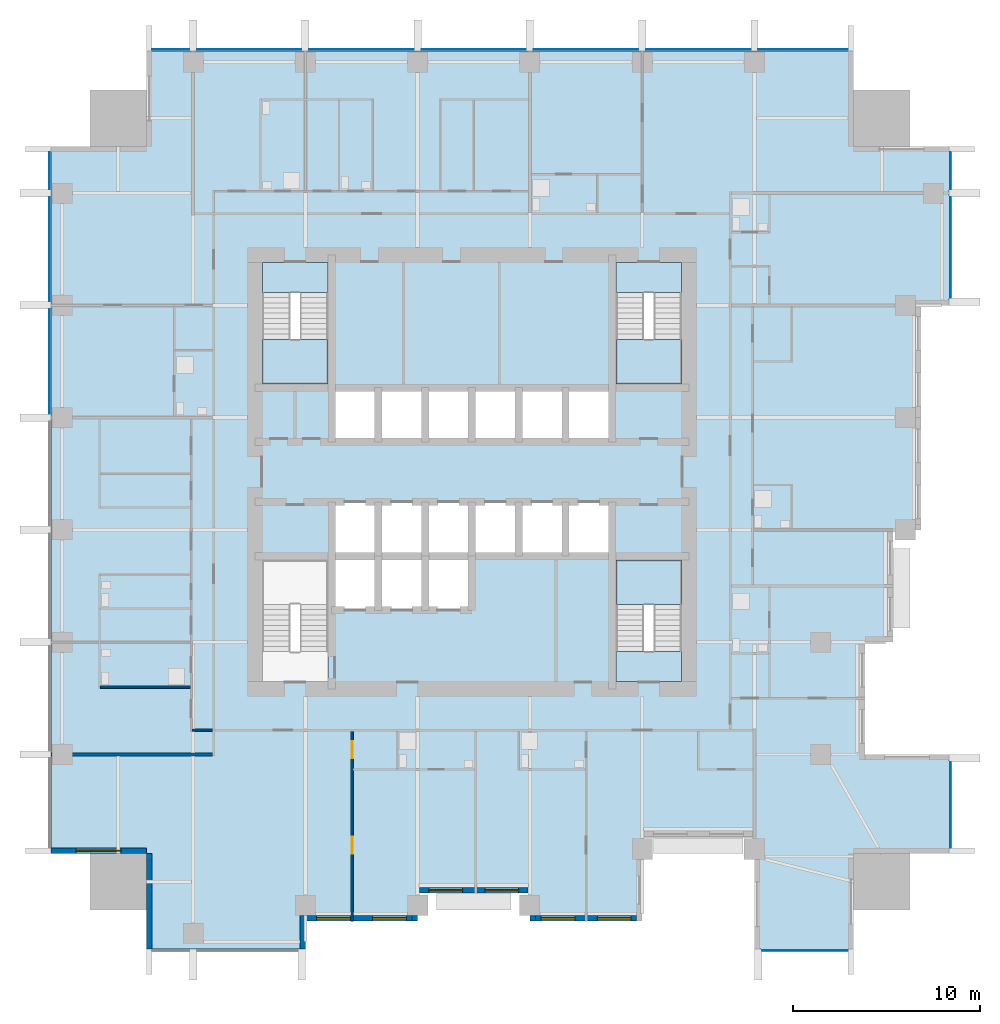
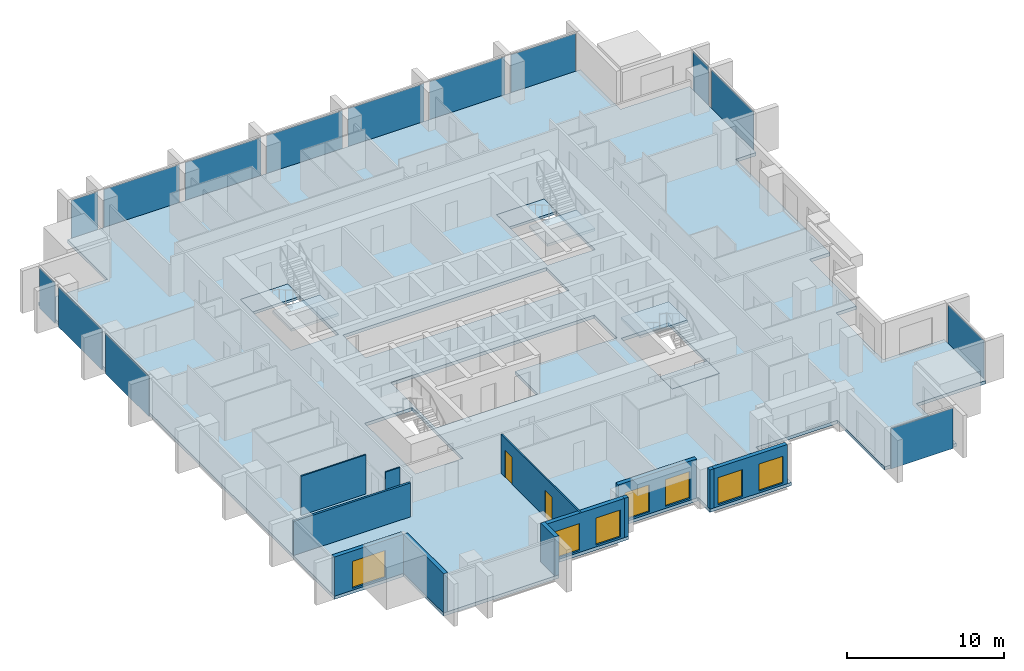
# One storey, part 3 of 10: 14 plates, 12 walls, 7 slabs, 7 windows, 2 doors, 9 openings, 8 elements without a shape of their own.
"""IFC4 building model written with IfcOpenShell, lengths in metres."""

import ifcopenshell
import ifcopenshell.guid

model = None  # the IFC model being written
_history = None  # IfcOwnerHistory: only IFC2X3 demands one
_inside = {}  # id of a spatial element -> (the spatial element, [elements in it])
_under = {}  # id of a project, library or spatial element -> (it, [spatial elements below it])
_declared = {}  # id of a project -> (the project, [libraries it declares])
_typed = {}  # id of a type object -> (the type object, [elements of that type])
_made_of = {}  # id of a material, layer set ... -> (it, [elements and type objects made of it])


def new_model(schema):
    """Start an empty IFC model of exactly this schema.

    Asked for "IFC4X3", IfcOpenShell would pick the latest addendum, in which some entities
    have other attributes; the version numbers below select the first issue.
    IFC2X3 requires an IfcOwnerHistory on every rooted entity: one is made here for all.
    """
    global model, _history
    if schema == "IFC4X3":
        model = ifcopenshell.file(schema_version=(4, 3, 0, 0))
    else:
        model = ifcopenshell.file(schema=schema)
    _inside.clear()
    _under.clear()
    _declared.clear()
    _typed.clear()
    _made_of.clear()
    _history = None
    if model.schema == "IFC2X3":
        org = make("IfcOrganization", Name="unknown")
        user = make(
            "IfcPersonAndOrganization",
            ThePerson=make("IfcPerson", FamilyName="unknown"),
            TheOrganization=org,
        )
        app = make(
            "IfcApplication",
            ApplicationDeveloper=org,
            Version="unknown",
            ApplicationFullName="unknown",
            ApplicationIdentifier="unknown",
        )
        _history = make(
            "IfcOwnerHistory",
            OwningUser=user,
            OwningApplication=app,
            ChangeAction="ADDED",
            CreationDate=0,
        )
    return model


def make(cls, **values):
    """One entity of the class cls with the attributes given. An attribute that is None is left unset."""
    return model.create_entity(
        cls, **{name: value for name, value in values.items() if value is not None}
    )


def rooted(cls, **values):
    """An entity with a GlobalId (a new one), such as an element, a storey or a relation."""
    return make(cls, GlobalId=ifcopenshell.guid.new(), OwnerHistory=_history, **values)


def si_unit(unit_type, name, prefix=None):
    """IfcSIUnit, for example si_unit("LENGTHUNIT", "METRE", prefix="MILLI")."""
    return make("IfcSIUnit", UnitType=unit_type, Prefix=prefix, Name=name)


def assignment(units):
    """IfcUnitAssignment: the units of a project."""
    return None if units is None else make("IfcUnitAssignment", Units=units)


def point(xyz):
    """IfcCartesianPoint."""
    return None if xyz is None else make("IfcCartesianPoint", Coordinates=xyz)


def direction(xyz):
    """IfcDirection."""
    return None if xyz is None else make("IfcDirection", DirectionRatios=xyz)


def frame(location, z_axis=None, x_axis=None):
    """IfcAxis2Placement3D, a coordinate frame: its origin and axes. An axis left out is left unset."""
    return make(
        "IfcAxis2Placement3D",
        Location=point(location),
        Axis=direction(z_axis),
        RefDirection=direction(x_axis),
    )


def frame_2d(location, x_axis=None):
    """IfcAxis2Placement2D, a coordinate frame in the plane: its origin and x axis."""
    return make(
        "IfcAxis2Placement2D", Location=point(location), RefDirection=direction(x_axis)
    )


def origin():
    """The frame at (0, 0, 0) with its axes left unset."""
    return frame((0.0, 0.0, 0.0))


def origin_2d():
    """The frame at (0, 0) in the plane with its x axis left unset."""
    return frame_2d((0.0, 0.0))


def place(relative_to, where):
    """IfcLocalPlacement: puts the frame where relative to a parent placement (None: the world)."""
    return make(
        "IfcLocalPlacement", PlacementRelTo=relative_to, RelativePlacement=where
    )


def context(
    kind, dimensions, precision=None, world=None, true_north=None, identifier=None
):
    """IfcGeometricRepresentationContext, for example the 3D "Model" context."""
    return make(
        "IfcGeometricRepresentationContext",
        ContextIdentifier=identifier,
        ContextType=kind,
        CoordinateSpaceDimension=dimensions,
        Precision=precision,
        WorldCoordinateSystem=world,
        TrueNorth=true_north,
    )


def subcontext(parent, identifier, kind, view, scale=None):
    """IfcGeometricRepresentationSubContext, for example "Body" below "Model"."""
    return make(
        "IfcGeometricRepresentationSubContext",
        ContextIdentifier=identifier,
        ContextType=kind,
        ParentContext=parent,
        TargetScale=scale,
        TargetView=view,
    )


def project(units=None, contexts=None):
    """IfcProject with its units and contexts."""
    return rooted(
        "IfcProject",
        Name="project",
        RepresentationContexts=contexts,
        UnitsInContext=assignment(units),
    )


def spatial(cls, under=None, at=None, **own):
    """A site, building, storey or space (cls), placed at a placement, below another one or the project."""
    s = rooted(cls, ObjectPlacement=at, **own)
    if under is not None:
        _under.setdefault(under.id(), (under, []))[1].append(s)
    return s


def polyline(points):
    """IfcPolyline through the points."""
    return make("IfcPolyline", Points=[point(p) for p in points])


def profile(cls, at=None, kind="AREA", **sizes):
    """A parametric profile (cls). Its sizes go by their IFC names, for example OverallWidth=200.0."""
    return make(cls, ProfileType=kind, Position=at, **sizes)


def rectangle(**sizes):
    """IfcRectangleProfileDef."""
    return profile("IfcRectangleProfileDef", **sizes)


def outline(outer, holes=None, kind="AREA"):
    """IfcArbitraryClosedProfileDef: a profile drawn as a closed curve; with holes, ...WithVoids."""
    if holes is None:
        return make("IfcArbitraryClosedProfileDef", ProfileType=kind, OuterCurve=outer)
    return make(
        "IfcArbitraryProfileDefWithVoids",
        ProfileType=kind,
        OuterCurve=outer,
        InnerCurves=holes,
    )


def extrude(swept, where, along, depth):
    """IfcExtrudedAreaSolid: the profile swept, set in the frame where, extruded along a direction by depth."""
    return make(
        "IfcExtrudedAreaSolid",
        SweptArea=swept,
        Position=where,
        ExtrudedDirection=direction(along),
        Depth=depth,
    )


def shape(context_of_items, identifier, shape_type, items):
    """IfcShapeRepresentation: the items that make up one representation, for example the "Body"."""
    return make(
        "IfcShapeRepresentation",
        ContextOfItems=context_of_items,
        RepresentationIdentifier=identifier,
        RepresentationType=shape_type,
        Items=items,
    )


def material(Name=None, Category=None):
    """IfcMaterial."""
    return make("IfcMaterial", Name=Name, Category=Category)


def layer(
    of_material, thickness, ventilated=None, Name=None, Category=None, Priority=None
):
    """IfcMaterialLayer: one layer of a wall or slab, of a material (None: an air gap)."""
    return make(
        "IfcMaterialLayer",
        Material=of_material,
        LayerThickness=thickness,
        IsVentilated=ventilated,
        Name=Name,
        Category=Category,
        Priority=Priority,
    )


def layer_set(layers, Name=None):
    """IfcMaterialLayerSet."""
    return make("IfcMaterialLayerSet", MaterialLayers=layers, LayerSetName=Name)


def made_of(thing, what):
    """Note that an element or type object is made of a material, layer set ...; save() writes the relation."""
    if what is not None:
        _made_of.setdefault(what.id(), (what, []))[1].append(thing)
    return thing


def type_object(cls, material=None, **own):
    """A type object (cls), such as IfcWallType, which elements share."""
    return made_of(rooted(cls, **own), material)


def element(
    cls,
    number,
    at=None,
    inside=None,
    cuts=None,
    type_object=None,
    material=None,
    context=None,
    identifier="Body",
    shape_type=None,
    held_by="IfcProductDefinitionShape",
    body=None,
    shapes=None,
    **own,
):
    """One element of the class cls, such as IfcWall. Its Tag is "e" and its number.

    at: its placement. inside: the storey or other place that contains it. cuts: it is an
    opening in that element (IfcRelVoidsElement). A single representation is given by context,
    identifier, shape_type and body (its items); several are given by shapes. held_by: the class
    of the entity that holds the representations. save() writes the other relations.
    """
    e = rooted(cls, Tag="e%d" % number, ObjectPlacement=at, **own)
    if body is not None:
        shapes = [shape(context, identifier, shape_type, body)]
    if shapes is not None:
        e.Representation = make(held_by, Representations=shapes)
    if inside is not None:
        _inside.setdefault(inside.id(), (inside, []))[1].append(e)
    if cuts is not None:
        rooted(
            "IfcRelVoidsElement", RelatingBuildingElement=cuts, RelatedOpeningElement=e
        )
    if type_object is not None:
        _typed.setdefault(type_object.id(), (type_object, []))[1].append(e)
    return made_of(e, material)


def fill(opening, filler):
    """IfcRelFillsElement: the door or window that sits in an opening."""
    return rooted(
        "IfcRelFillsElement",
        RelatingOpeningElement=opening,
        RelatedBuildingElement=filler,
    )


def aggregate(whole, parts):
    """IfcRelAggregates: a whole, such as a stair, and the parts it consists of."""
    return rooted("IfcRelAggregates", RelatingObject=whole, RelatedObjects=parts)


def save(model, path):
    """Write the relations noted so far, then the file.

    IfcRelAggregates (storeys below a building ...), IfcRelContainedInSpatialStructure (elements
    in a storey), IfcRelDefinesByType, IfcRelAssociatesMaterial and IfcRelDeclares: one each for
    every whole, place, type object, material and project.
    """
    for whole, parts in _under.values():
        aggregate(whole, parts)
    for where, things in _inside.values():
        rooted(
            "IfcRelContainedInSpatialStructure",
            RelatedElements=things,
            RelatingStructure=where,
        )
    for kind, things in _typed.values():
        rooted("IfcRelDefinesByType", RelatedObjects=things, RelatingType=kind)
    for what, things in _made_of.values():
        rooted("IfcRelAssociatesMaterial", RelatedObjects=things, RelatingMaterial=what)
    for by, libraries in _declared.values():
        rooted("IfcRelDeclares", RelatingContext=by, RelatedDefinitions=libraries)
    model.write(path)


model = new_model("IFC4")

# Units and contexts
model_context = context("Model", 3, precision=1e-05, world=origin(), true_north=direction((0.0, 1.0)))
body_context = subcontext(model_context, "Body", "Model", "MODEL_VIEW")
ifc_project = project(units=[si_unit("LENGTHUNIT", "METRE"), si_unit("AREAUNIT", "SQUARE_METRE"), si_unit("VOLUMEUNIT", "CUBIC_METRE"), si_unit("PLANEANGLEUNIT", "RADIAN"), si_unit("MASSUNIT", "GRAM", prefix="KILO")], contexts=[model_context])

# Site, building, storey
site_placement = place(None, origin())
site = spatial("IfcSite", under=ifc_project, at=site_placement, CompositionType="ELEMENT")
building_placement = place(site_placement, origin())
building = spatial("IfcBuilding", under=site, at=building_placement, Name="Amberfall Residences", CompositionType="ELEMENT")
storey_placement = place(building_placement, frame((0.0, 0.0, 118.300048828125)))
storey = spatial("IfcBuildingStorey", under=building, at=storey_placement, Name="L32", CompositionType="ELEMENT", Elevation=118.300048828125)

# Curtain wall, plate
ifc_material_1 = material(Name="Bronze anodised aluminium and glass", Category="aluminium")
curtain_wall_type = type_object("IfcCurtainWallType", Name="Curtain wall CW1 tower unit", PredefinedType="USERDEFINED", material=ifc_material_1)
curtain_wall_1_placement = place(storey_placement, origin())
curtain_wall_1 = element("IfcCurtainWall", 1, at=curtain_wall_1_placement, inside=storey, type_object=curtain_wall_type, Name="Curtain wall L32 S S11", ObjectType="UNITISED CURTAIN WALL", PredefinedType="USERDEFINED")
ifc_material_2 = material(Name="Tinted double glazed unit", Category="glass")
ifc_layer_1 = layer(ifc_material_2, 0.035888671875)
ifc_layer_set_1 = layer_set([ifc_layer_1], Name="CW1 panel 36 glazing")
plate_type = type_object("IfcPlateType", Name="CW1 panel 36 glazing", PredefinedType="CURTAIN_PANEL", material=ifc_layer_set_1)
plate_1_placement = place(storey_placement, frame((92.300048828125, 19.925048828125, -0.25), z_axis=(0.0, 0.0, 1.0), x_axis=(1.0, 0.0, 0.0)))
plate_1 = element("IfcPlate", 2, at=plate_1_placement, type_object=plate_type, Name="CW1 panel 1.1", PredefinedType="CURTAIN_PANEL", context=body_context, shape_type="SweptSolid", body=[
    extrude(rectangle(XDim=4.575927734375, YDim=0.035888671875, at=origin_2d()), origin(), (0.0, 0.0, 1.0), 3.14990234375),
])
aggregate(curtain_wall_1, [plate_1])

curtain_wall_2_placement = place(storey_placement, origin())
curtain_wall_2 = element("IfcCurtainWall", 3, at=curtain_wall_2_placement, inside=storey, type_object=curtain_wall_type, Name="Curtain wall L32 E E1", ObjectType="UNITISED CURTAIN WALL", PredefinedType="USERDEFINED")
plate_2_placement = place(storey_placement, frame((100.074951171875, 27.699951171875, -0.25), z_axis=(0.0, 0.0, 1.0), x_axis=(0.0, 1.0, 0.0)))
plate_2 = element("IfcPlate", 4, at=plate_2_placement, type_object=plate_type, Name="CW1 panel 1.1", PredefinedType="CURTAIN_PANEL", context=body_context, shape_type="SweptSolid", body=[
    extrude(rectangle(XDim=4.575927734375, YDim=0.035888671875, at=origin_2d()), origin(), (0.0, 0.0, 1.0), 3.14990234375),
])
aggregate(curtain_wall_2, [plate_2])

# Curtain wall, plates
curtain_wall_3_placement = place(storey_placement, origin())
curtain_wall_3 = element("IfcCurtainWall", 5, at=curtain_wall_3_placement, inside=storey, type_object=curtain_wall_type, Name="Curtain wall L32 E E10", ObjectType="UNITISED CURTAIN WALL", PredefinedType="USERDEFINED")
plate_3_placement = place(storey_placement, frame((100.074951171875, 57.5, -0.25), z_axis=(0.0, 0.0, 1.0), x_axis=(0.0, 1.0, 0.0)))
plate_3 = element("IfcPlate", 6, at=plate_3_placement, type_object=plate_type, Name="CW1 panel 1.1", PredefinedType="CURTAIN_PANEL", context=body_context, shape_type="SweptSolid", body=[
    extrude(rectangle(XDim=5.3759765625, YDim=0.035888671875, at=origin_2d()), origin(), (0.0, 0.0, 1.0), 3.14990234375),
])
plate_4_placement = place(storey_placement, frame((100.074951171875, 61.60009765625, -0.25), z_axis=(0.0, 0.0, 1.0), x_axis=(0.0, 1.0, 0.0)))
plate_4 = element("IfcPlate", 7, at=plate_4_placement, type_object=plate_type, Name="CW1 panel 2.1", PredefinedType="CURTAIN_PANEL", context=body_context, shape_type="SweptSolid", body=[
    extrude(rectangle(XDim=1.97607421875, YDim=0.035888671875, at=origin_2d()), origin(), (0.0, 0.0, 1.0), 3.14990234375),
])
aggregate(curtain_wall_3, [plate_3, plate_4])

curtain_wall_4_placement = place(storey_placement, origin())
curtain_wall_4 = element("IfcCurtainWall", 8, at=curtain_wall_4_placement, inside=storey, type_object=curtain_wall_type, Name="Curtain wall L32 N N1", ObjectType="UNITISED CURTAIN WALL", PredefinedType="USERDEFINED")
plate_5_placement = place(storey_placement, frame((92.199951171875, 68.074951171875, -0.25), z_axis=(0.0, 0.0, 1.0), x_axis=(-1.0, 0.0, 0.0)))
plate_5 = element("IfcPlate", 9, at=plate_5_placement, type_object=plate_type, Name="CW1 panel 1.1", PredefinedType="CURTAIN_PANEL", context=body_context, shape_type="SweptSolid", body=[
    extrude(rectangle(XDim=4.77587890625, YDim=0.035888671875, at=origin_2d()), origin(), (0.0, 0.0, 1.0), 3.14990234375),
])
plate_6_placement = place(storey_placement, frame((86.60009765625, 68.074951171875, -0.25), z_axis=(0.0, 0.0, 1.0), x_axis=(-1.0, 0.0, 0.0)))
plate_6 = element("IfcPlate", 10, at=plate_6_placement, type_object=plate_type, Name="CW1 panel 2.1", PredefinedType="CURTAIN_PANEL", context=body_context, shape_type="SweptSolid", body=[
    extrude(rectangle(XDim=5.575927734375, YDim=0.035888671875, at=origin_2d()), origin(), (0.0, 0.0, 1.0), 3.14990234375),
])
plate_7_placement = place(storey_placement, frame((80.60009765625, 68.074951171875, -0.25), z_axis=(0.0, 0.0, 1.0), x_axis=(-1.0, 0.0, 0.0)))
plate_7 = element("IfcPlate", 11, at=plate_7_placement, type_object=plate_type, Name="CW1 panel 3.1", PredefinedType="CURTAIN_PANEL", context=body_context, shape_type="SweptSolid", body=[
    extrude(rectangle(XDim=5.575927734375, YDim=0.035888671875, at=origin_2d()), origin(), (0.0, 0.0, 1.0), 3.14990234375),
])
plate_8_placement = place(storey_placement, frame((74.60009765625, 68.074951171875, -0.25), z_axis=(0.0, 0.0, 1.0), x_axis=(-1.0, 0.0, 0.0)))
plate_8 = element("IfcPlate", 12, at=plate_8_placement, type_object=plate_type, Name="CW1 panel 4.1", PredefinedType="CURTAIN_PANEL", context=body_context, shape_type="SweptSolid", body=[
    extrude(rectangle(XDim=5.575927734375, YDim=0.035888671875, at=origin_2d()), origin(), (0.0, 0.0, 1.0), 3.14990234375),
])
plate_9_placement = place(storey_placement, frame((68.60009765625, 68.074951171875, -0.25), z_axis=(0.0, 0.0, 1.0), x_axis=(-1.0, 0.0, 0.0)))
plate_9 = element("IfcPlate", 13, at=plate_9_placement, type_object=plate_type, Name="CW1 panel 5.1", PredefinedType="CURTAIN_PANEL", context=body_context, shape_type="SweptSolid", body=[
    extrude(rectangle(XDim=5.575927734375, YDim=0.035888671875, at=origin_2d()), origin(), (0.0, 0.0, 1.0), 3.14990234375),
])
plate_10_placement = place(storey_placement, frame((62.60009765625, 68.074951171875, -0.25), z_axis=(0.0, 0.0, 1.0), x_axis=(-1.0, 0.0, 0.0)))
plate_10 = element("IfcPlate", 14, at=plate_10_placement, type_object=plate_type, Name="CW1 panel 6.1", PredefinedType="CURTAIN_PANEL", context=body_context, shape_type="SweptSolid", body=[
    extrude(rectangle(XDim=5.575927734375, YDim=0.035888671875, at=origin_2d()), origin(), (0.0, 0.0, 1.0), 3.14990234375),
])
plate_11_placement = place(storey_placement, frame((58.39990234375, 68.074951171875, -0.25), z_axis=(0.0, 0.0, 1.0), x_axis=(-1.0, 0.0, 0.0)))
plate_11 = element("IfcPlate", 15, at=plate_11_placement, type_object=plate_type, Name="CW1 panel 7.1", PredefinedType="CURTAIN_PANEL", context=body_context, shape_type="SweptSolid", body=[
    extrude(rectangle(XDim=1.97607421875, YDim=0.035888671875, at=origin_2d()), origin(), (0.0, 0.0, 1.0), 3.14990234375),
])
aggregate(curtain_wall_4, [plate_5, plate_6, plate_7, plate_8, plate_9, plate_10, plate_11])

curtain_wall_5_placement = place(storey_placement, origin())
curtain_wall_5 = element("IfcCurtainWall", 16, at=curtain_wall_5_placement, inside=storey, type_object=curtain_wall_type, Name="Curtain wall L32 W W1", ObjectType="UNITISED CURTAIN WALL", PredefinedType="USERDEFINED")
plate_12_placement = place(storey_placement, frame((51.925048828125, 61.60009765625, -0.25), z_axis=(0.0, 0.0, 1.0), x_axis=(0.0, -1.0, 0.0)))
plate_12 = element("IfcPlate", 17, at=plate_12_placement, type_object=plate_type, Name="CW1 panel 1.1", PredefinedType="CURTAIN_PANEL", context=body_context, shape_type="SweptSolid", body=[
    extrude(rectangle(XDim=1.97607421875, YDim=0.035888671875, at=origin_2d()), origin(), (0.0, 0.0, 1.0), 3.14990234375),
])
plate_13_placement = place(storey_placement, frame((51.925048828125, 57.39990234375, -0.25), z_axis=(0.0, 0.0, 1.0), x_axis=(0.0, -1.0, 0.0)))
plate_13 = element("IfcPlate", 18, at=plate_13_placement, type_object=plate_type, Name="CW1 panel 2.1", PredefinedType="CURTAIN_PANEL", context=body_context, shape_type="SweptSolid", body=[
    extrude(rectangle(XDim=5.575927734375, YDim=0.035888671875, at=origin_2d()), origin(), (0.0, 0.0, 1.0), 3.14990234375),
])
plate_14_placement = place(storey_placement, frame((51.925048828125, 51.39990234375, -0.25), z_axis=(0.0, 0.0, 1.0), x_axis=(0.0, -1.0, 0.0)))
plate_14 = element("IfcPlate", 19, at=plate_14_placement, type_object=plate_type, Name="CW1 panel 3.1", PredefinedType="CURTAIN_PANEL", context=body_context, shape_type="SweptSolid", body=[
    extrude(rectangle(XDim=5.575927734375, YDim=0.035888671875, at=origin_2d()), origin(), (0.0, 0.0, 1.0), 3.14990234375),
])
aggregate(curtain_wall_5, [plate_12, plate_13, plate_14])

# Slab
ifc_material_3 = material(Name="Concrete C70", Category="concrete")
ifc_layer_2 = layer(ifc_material_3, 0.25)
ifc_layer_set_2 = layer_set([ifc_layer_2], Name="Floor slab 250 C70")
slab_type_1 = type_object("IfcSlabType", Name="Floor slab 250 C70", PredefinedType="FLOOR", material=ifc_layer_set_2)
slab_1_placement = place(storey_placement, frame((0.0, 0.0, -0.25)))
element("IfcSlab", 20, at=slab_1_placement, inside=storey, type_object=slab_type_1, Name="Floor slab S7 L32", PredefinedType="FLOOR", context=body_context, shape_type="SweptSolid", body=[
    extrude(outline(polyline([(89.60009765625, 20.0), (89.60009765625, 26.0), (83.60009765625, 26.0), (83.60009765625, 21.5), (77.60009765625, 21.5), (77.60009765625, 23.0), (71.60009765625, 23.0), (71.60009765625, 21.5), (65.60009765625, 21.5), (65.60009765625, 20.0), (57.10009765625, 20.0), (57.10009765625, 25.10009765625), (52.0, 25.10009765625), (52.0, 62.89990234375), (57.10009765625, 62.89990234375), (57.10009765625, 68.0), (94.89990234375, 68.0), (94.89990234375, 62.89990234375), (100.0, 62.89990234375), (100.0, 54.39990234375), (98.5, 54.39990234375), (98.5, 48.39990234375), (98.5, 42.39990234375), (97.0, 42.39990234375), (97.0, 36.39990234375), (95.5, 36.39990234375), (95.5, 30.39990234375), (100.0, 30.39990234375), (100.0, 25.10009765625), (94.89990234375, 25.10009765625), (94.89990234375, 20.0), (89.60009765625, 20.0)]), holes=[polyline([(85.699951171875, 34.300048828125), (85.699951171875, 40.800048828125), (82.199951171875, 40.800048828125), (82.199951171875, 34.300048828125), (85.699951171875, 34.300048828125)]), polyline([(82.199951171875, 50.199951171875), (85.699951171875, 50.199951171875), (85.699951171875, 56.699951171875), (82.199951171875, 56.699951171875), (82.199951171875, 50.199951171875)]), polyline([(69.5, 50.0), (67.0, 50.0), (67.0, 47.10009765625), (69.5, 47.10009765625), (72.0, 47.10009765625), (74.5, 47.10009765625), (77.0, 47.10009765625), (79.5, 47.10009765625), (82.0, 47.10009765625), (82.0, 50.0), (79.5, 50.0), (77.0, 50.0), (74.5, 50.0), (72.0, 50.0), (69.5, 50.0)]), polyline([(74.5, 41.0), (77.0, 41.0), (79.5, 41.0), (82.0, 41.0), (82.0, 43.89990234375), (79.5, 43.89990234375), (77.0, 43.89990234375), (74.5, 43.89990234375), (72.0, 43.89990234375), (69.5, 43.89990234375), (67.0, 43.89990234375), (67.0, 41.0), (67.0, 38.10009765625), (69.5, 38.10009765625), (72.0, 38.10009765625), (74.5, 38.10009765625), (74.5, 41.0)]), polyline([(66.800048828125, 34.300048828125), (66.800048828125, 40.800048828125), (63.300048828125, 40.800048828125), (63.300048828125, 34.300048828125), (66.800048828125, 34.300048828125)]), polyline([(66.800048828125, 50.199951171875), (66.800048828125, 56.699951171875), (63.300048828125, 56.699951171875), (63.300048828125, 50.199951171875), (66.800048828125, 50.199951171875)])]), origin(), (0.0, 0.0, 1.0), 0.25),
])

# Stair, slabs
ifc_material_4 = material(Name="Concrete C40", Category="concrete")
stair_type = type_object("IfcStairType", Name="Exit stair 20 risers 165.0 mm", PredefinedType="HALF_TURN_STAIR", material=ifc_material_4)
stair_1_placement = place(storey_placement, origin())
stair_1 = element("IfcStair", 21, at=stair_1_placement, inside=storey, type_object=stair_type, Name="L32 Exit stair 2", PredefinedType="HALF_TURN_STAIR")
ifc_layer_3 = layer(ifc_material_4, 0.199951171875)
ifc_layer_set_3 = layer_set([ifc_layer_3], Name="Stair landing 200")
slab_type_2 = type_object("IfcSlabType", Name="Stair landing 200", PredefinedType="LANDING", material=ifc_layer_set_3)
slab_2_placement = place(storey_placement, frame((0.0, 0.0, 1.449951171875)))
slab_2 = element("IfcSlab", 22, at=slab_2_placement, type_object=slab_type_2, Name="ST3 landing 1", PredefinedType="LANDING", context=body_context, shape_type="SweptSolid", body=[
    extrude(outline(polyline([(85.699951171875, 38.419921875), (85.699951171875, 40.800048828125), (82.199951171875, 40.800048828125), (82.199951171875, 38.419921875), (85.699951171875, 38.419921875)])), origin(), (0.0, 0.0, 1.0), 0.199951171875),
])
slab_3_placement = place(storey_placement, frame((0.0, 0.0, -0.199951171875)))
slab_3 = element("IfcSlab", 23, at=slab_3_placement, type_object=slab_type_2, Name="ST3 landing 2", PredefinedType="LANDING", context=body_context, shape_type="SweptSolid", body=[
    extrude(outline(polyline([(85.699951171875, 34.300048828125), (85.699951171875, 35.89990234375), (82.199951171875, 35.89990234375), (82.199951171875, 34.300048828125), (85.699951171875, 34.300048828125)])), origin(), (0.0, 0.0, 1.0), 0.199951171875),
])
aggregate(stair_1, [slab_2, slab_3])

stair_2_placement = place(storey_placement, origin())
stair_2 = element("IfcStair", 24, at=stair_2_placement, inside=storey, type_object=stair_type, Name="L32 Exit stair 3", PredefinedType="HALF_TURN_STAIR")
slab_4_placement = place(storey_placement, frame((0.0, 0.0, 1.449951171875)))
slab_4 = element("IfcSlab", 25, at=slab_4_placement, type_object=slab_type_2, Name="ST3 landing 1", PredefinedType="LANDING", context=body_context, shape_type="SweptSolid", body=[
    extrude(outline(polyline([(82.199951171875, 52.580078125), (82.199951171875, 50.199951171875), (85.699951171875, 50.199951171875), (85.699951171875, 52.580078125), (82.199951171875, 52.580078125)])), origin(), (0.0, 0.0, 1.0), 0.199951171875),
])
slab_5_placement = place(storey_placement, frame((0.0, 0.0, -0.199951171875)))
slab_5 = element("IfcSlab", 26, at=slab_5_placement, type_object=slab_type_2, Name="ST3 landing 2", PredefinedType="LANDING", context=body_context, shape_type="SweptSolid", body=[
    extrude(outline(polyline([(82.199951171875, 56.699951171875), (82.199951171875, 55.10009765625), (85.699951171875, 55.10009765625), (85.699951171875, 56.699951171875), (82.199951171875, 56.699951171875)])), origin(), (0.0, 0.0, 1.0), 0.199951171875),
])
aggregate(stair_2, [slab_4, slab_5])

stair_3_placement = place(storey_placement, origin())
stair_3 = element("IfcStair", 27, at=stair_3_placement, inside=storey, type_object=stair_type, Name="L32 Exit stair 4", PredefinedType="HALF_TURN_STAIR")
slab_6_placement = place(storey_placement, frame((0.0, 0.0, 1.449951171875)))
slab_6 = element("IfcSlab", 28, at=slab_6_placement, type_object=slab_type_2, Name="ST3 landing 1", PredefinedType="LANDING", context=body_context, shape_type="SweptSolid", body=[
    extrude(outline(polyline([(63.300048828125, 52.580078125), (63.300048828125, 50.199951171875), (66.800048828125, 50.199951171875), (66.800048828125, 52.580078125), (63.300048828125, 52.580078125)])), origin(), (0.0, 0.0, 1.0), 0.199951171875),
])
slab_7_placement = place(storey_placement, frame((0.0, 0.0, -0.199951171875)))
slab_7 = element("IfcSlab", 29, at=slab_7_placement, type_object=slab_type_2, Name="ST3 landing 2", PredefinedType="LANDING", context=body_context, shape_type="SweptSolid", body=[
    extrude(outline(polyline([(63.300048828125, 56.699951171875), (63.300048828125, 55.10009765625), (66.800048828125, 55.10009765625), (66.800048828125, 56.699951171875), (63.300048828125, 56.699951171875)])), origin(), (0.0, 0.0, 1.0), 0.199951171875),
])
aggregate(stair_3, [slab_6, slab_7])

# Walls
ifc_material_5 = material(Name="Pale stone cladding on insulated backing", Category="masonry")
ifc_layer_4 = layer(ifc_material_5, 0.300048828125)
ifc_layer_set_4 = layer_set([ifc_layer_4], Name="Bronze clad wall 300")
wall_type_1 = type_object("IfcWallType", Name="Bronze clad wall 300", PredefinedType="SOLIDWALL", material=ifc_layer_set_4)
wall_1_placement = place(storey_placement, frame((65.449951171875, 20.0, 0.0), z_axis=(0.0, 0.0, 1.0), x_axis=(0.0, 1.0, 0.0)))
element("IfcWall", 30, at=wall_1_placement, inside=storey, type_object=wall_type_1, Name="External wall L32 S", PredefinedType="SOLIDWALL", context=body_context, shape_type="SweptSolid", body=[
    extrude(rectangle(XDim=1.800048828125, YDim=0.300048828125, at=frame_2d((0.89990234375, 0.0))), origin(), (0.0, 0.0, 1.0), 3.050048828125),
])
for number, where, z_axis, x_axis, name in (
    (31, (71.449951171875, 21.5, 0.0), (0.0, 0.0, 1.0), (0.0, 1.0, 0.0), "External wall L32 S"),
    (32, (77.75, 21.800048828125, 0.0), (0.0, 0.0, 1.0), (0.0, -1.0, 0.0), "External wall L32 S"),
):
    element("IfcWall", number, at=place(storey_placement, frame(where, z_axis=z_axis, x_axis=x_axis)), inside=storey, type_object=wall_type_1, Name=name, PredefinedType="SOLIDWALL", context=body_context, shape_type="SweptSolid", body=[
        extrude(rectangle(XDim=0.300048828125, YDim=0.300048828125, at=frame_2d((0.14990234375, 0.0))), origin(), (0.0, 0.0, 1.0), 3.050048828125),
    ])

# Wall, opening, window
wall_2_placement = place(storey_placement, frame((52.0, 25.25, 0.0), z_axis=(0.0, 0.0, 1.0), x_axis=(1.0, 0.0, 0.0)))
wall_2 = element("IfcWall", 33, at=wall_2_placement, inside=storey, type_object=wall_type_1, Name="External wall L32 SW", PredefinedType="SOLIDWALL", context=body_context, shape_type="SweptSolid", body=[
    extrude(rectangle(XDim=5.10009765625, YDim=0.300048828125, at=frame_2d((2.550048828125, 0.0))), origin(), (0.0, 0.0, 1.0), 3.050048828125),
])
opening_1_placement = place(wall_2_placement, frame((1.35009765625, 0.0, 0.14990234375)))
opening_1 = element("IfcOpeningElement", 34, at=opening_1_placement, cuts=wall_2, Name="Opening WN5", PredefinedType="OPENING", context=body_context, shape_type="SweptSolid", body=[
    extrude(rectangle(XDim=2.39990234375, YDim=2.10009765625, at=frame_2d((1.199951171875, 1.050048828125))), frame((0.0, 0.159912109375, 0.0), z_axis=(0.0, -1.0, 0.0), x_axis=(1.0, 0.0, 0.0)), (0.0, 0.0, 1.0), 0.320068359375),
])
ifc_material_6 = material(Name="Bronze aluminium framed glazing", Category="aluminium")
window_type_1 = type_object("IfcWindowType", Name="Glazed opening 2400 x 2100 bronze", PartitioningType="DOUBLE_PANEL_VERTICAL", PredefinedType="WINDOW", material=ifc_material_6)
window_1_placement = place(opening_1_placement, origin())
window_1 = element("IfcWindow", 35, at=window_1_placement, inside=storey, type_object=window_type_1, Name="Window L32 SW", OverallHeight=2.10009765625, OverallWidth=2.39990234375, PartitioningType="DOUBLE_PANEL_VERTICAL", PredefinedType="WINDOW", context=body_context, shape_type="SweptSolid", body=[
    extrude(rectangle(XDim=2.39990234375, YDim=2.10009765625, at=frame_2d((1.199951171875, 1.050048828125))), frame((0.0, 0.030029296875, 0.0), z_axis=(0.0, -1.0, 0.0), x_axis=(1.0, 0.0, 0.0)), (0.0, 0.0, 1.0), 0.06005859375),
])
fill(opening_1, window_1)

# Wall
wall_3_placement = place(storey_placement, frame((57.25, 25.10009765625, 0.0), z_axis=(0.0, 0.0, 1.0), x_axis=(0.0, -1.0, 0.0)))
element("IfcWall", 36, at=wall_3_placement, inside=storey, type_object=wall_type_1, Name="External wall L32 SW", PredefinedType="SOLIDWALL", context=body_context, shape_type="SweptSolid", body=[
    extrude(rectangle(XDim=5.10009765625, YDim=0.300048828125, at=frame_2d((2.550048828125, 0.0))), origin(), (0.0, 0.0, 1.0), 3.050048828125),
])

# Wall, openings, windows
wall_4_placement = place(storey_placement, frame((65.60009765625, 21.64990234375, 0.0), z_axis=(0.0, 0.0, 1.0), x_axis=(1.0, 0.0, 0.0)))
wall_4 = element("IfcWall", 37, at=wall_4_placement, inside=storey, type_object=wall_type_1, Name="Stone wall L32 S", PredefinedType="SOLIDWALL", context=body_context, shape_type="SweptSolid", body=[
    extrude(rectangle(XDim=5.699951171875, YDim=0.300048828125, at=frame_2d((2.85009765625, 0.0))), origin(), (0.0, 0.0, 1.0), 3.050048828125),
])
opening_2_placement = place(wall_4_placement, frame((0.60009765625, 0.0, 0.14990234375)))
opening_2 = element("IfcOpeningElement", 38, at=opening_2_placement, cuts=wall_4, Name="Opening WN6", PredefinedType="OPENING", context=body_context, shape_type="SweptSolid", body=[
    extrude(rectangle(XDim=1.800048828125, YDim=2.10009765625, at=frame_2d((0.89990234375, 1.050048828125))), frame((0.0, 0.159912109375, 0.0), z_axis=(0.0, -1.0, 0.0), x_axis=(1.0, 0.0, 0.0)), (0.0, 0.0, 1.0), 0.320068359375),
])
opening_3_placement = place(wall_4_placement, frame((3.60009765625, 0.0, 0.14990234375)))
opening_3 = element("IfcOpeningElement", 39, at=opening_3_placement, cuts=wall_4, Name="Opening WN6", PredefinedType="OPENING", context=body_context, shape_type="SweptSolid", body=[
    extrude(rectangle(XDim=1.800048828125, YDim=2.10009765625, at=frame_2d((0.89990234375, 1.050048828125))), frame((0.0, 0.159912109375, 0.0), z_axis=(0.0, -1.0, 0.0), x_axis=(1.0, 0.0, 0.0)), (0.0, 0.0, 1.0), 0.320068359375),
])
window_type_2 = type_object("IfcWindowType", Name="Glazed opening 1800 x 2100 bronze", PartitioningType="DOUBLE_PANEL_VERTICAL", PredefinedType="WINDOW", material=ifc_material_6)
window_2_placement = place(opening_2_placement, origin())
window_2 = element("IfcWindow", 40, at=window_2_placement, inside=storey, type_object=window_type_2, Name="Window L32 S", OverallHeight=2.10009765625, OverallWidth=1.800048828125, PartitioningType="DOUBLE_PANEL_VERTICAL", PredefinedType="WINDOW", context=body_context, shape_type="SweptSolid", body=[
    extrude(rectangle(XDim=1.800048828125, YDim=2.10009765625, at=frame_2d((0.89990234375, 1.050048828125))), frame((0.0, 0.030029296875, 0.0), z_axis=(0.0, -1.0, 0.0), x_axis=(1.0, 0.0, 0.0)), (0.0, 0.0, 1.0), 0.06005859375),
])
fill(opening_2, window_2)
window_3_placement = place(opening_3_placement, origin())
window_3 = element("IfcWindow", 41, at=window_3_placement, inside=storey, type_object=window_type_2, Name="Window L32 S", OverallHeight=2.10009765625, OverallWidth=1.800048828125, PartitioningType="DOUBLE_PANEL_VERTICAL", PredefinedType="WINDOW", context=body_context, shape_type="SweptSolid", body=[
    extrude(rectangle(XDim=1.800048828125, YDim=2.10009765625, at=frame_2d((0.89990234375, 1.050048828125))), frame((0.0, 0.030029296875, 0.0), z_axis=(0.0, -1.0, 0.0), x_axis=(1.0, 0.0, 0.0)), (0.0, 0.0, 1.0), 0.06005859375),
])
fill(opening_3, window_3)

wall_5_placement = place(storey_placement, frame((71.7099609375, 23.14990234375, 0.0), z_axis=(0.0, 0.0, 1.0), x_axis=(1.0, 0.0, 0.0)))
wall_5 = element("IfcWall", 42, at=wall_5_placement, inside=storey, type_object=wall_type_1, Name="Stone wall L32 S", PredefinedType="SOLIDWALL", context=body_context, shape_type="SweptSolid", body=[
    extrude(rectangle(XDim=5.780029296875, YDim=0.300048828125, at=frame_2d((2.89013671875, 0.0))), origin(), (0.0, 0.0, 1.0), 3.050048828125),
])
opening_4_placement = place(wall_5_placement, frame((0.489990234375, 0.0, 0.14990234375)))
opening_4 = element("IfcOpeningElement", 43, at=opening_4_placement, cuts=wall_5, Name="Opening WN6", PredefinedType="OPENING", context=body_context, shape_type="SweptSolid", body=[
    extrude(rectangle(XDim=1.800048828125, YDim=2.10009765625, at=frame_2d((0.89990234375, 1.050048828125))), frame((0.0, 0.159912109375, 0.0), z_axis=(0.0, -1.0, 0.0), x_axis=(1.0, 0.0, 0.0)), (0.0, 0.0, 1.0), 0.320068359375),
])
opening_5_placement = place(wall_5_placement, frame((3.489990234375, 0.0, 0.14990234375)))
opening_5 = element("IfcOpeningElement", 44, at=opening_5_placement, cuts=wall_5, Name="Opening WN6", PredefinedType="OPENING", context=body_context, shape_type="SweptSolid", body=[
    extrude(rectangle(XDim=1.800048828125, YDim=2.10009765625, at=frame_2d((0.89990234375, 1.050048828125))), frame((0.0, 0.159912109375, 0.0), z_axis=(0.0, -1.0, 0.0), x_axis=(1.0, 0.0, 0.0)), (0.0, 0.0, 1.0), 0.320068359375),
])
window_4_placement = place(opening_4_placement, origin())
window_4 = element("IfcWindow", 45, at=window_4_placement, inside=storey, type_object=window_type_2, Name="Window L32 S", OverallHeight=2.10009765625, OverallWidth=1.800048828125, PartitioningType="DOUBLE_PANEL_VERTICAL", PredefinedType="WINDOW", context=body_context, shape_type="SweptSolid", body=[
    extrude(rectangle(XDim=1.800048828125, YDim=2.10009765625, at=frame_2d((0.89990234375, 1.050048828125))), frame((0.0, 0.030029296875, 0.0), z_axis=(0.0, -1.0, 0.0), x_axis=(1.0, 0.0, 0.0)), (0.0, 0.0, 1.0), 0.06005859375),
])
fill(opening_4, window_4)
window_5_placement = place(opening_5_placement, origin())
window_5 = element("IfcWindow", 46, at=window_5_placement, inside=storey, type_object=window_type_2, Name="Window L32 S", OverallHeight=2.10009765625, OverallWidth=1.800048828125, PartitioningType="DOUBLE_PANEL_VERTICAL", PredefinedType="WINDOW", context=body_context, shape_type="SweptSolid", body=[
    extrude(rectangle(XDim=1.800048828125, YDim=2.10009765625, at=frame_2d((0.89990234375, 1.050048828125))), frame((0.0, 0.030029296875, 0.0), z_axis=(0.0, -1.0, 0.0), x_axis=(1.0, 0.0, 0.0)), (0.0, 0.0, 1.0), 0.06005859375),
])
fill(opening_5, window_5)

wall_6_placement = place(storey_placement, frame((77.89990234375, 21.64990234375, 0.0), z_axis=(0.0, 0.0, 1.0), x_axis=(1.0, 0.0, 0.0)))
wall_6 = element("IfcWall", 47, at=wall_6_placement, inside=storey, type_object=wall_type_1, Name="Stone wall L32 S", PredefinedType="SOLIDWALL", context=body_context, shape_type="SweptSolid", body=[
    extrude(rectangle(XDim=5.400146484375, YDim=0.300048828125, at=frame_2d((2.7001953125, 0.0))), origin(), (0.0, 0.0, 1.0), 3.050048828125),
])
opening_6_placement = place(wall_6_placement, frame((0.300048828125, 0.0, 0.14990234375)))
opening_6 = element("IfcOpeningElement", 48, at=opening_6_placement, cuts=wall_6, Name="Opening WN6", PredefinedType="OPENING", context=body_context, shape_type="SweptSolid", body=[
    extrude(rectangle(XDim=1.800048828125, YDim=2.10009765625, at=frame_2d((0.89990234375, 1.050048828125))), frame((0.0, 0.159912109375, 0.0), z_axis=(0.0, -1.0, 0.0), x_axis=(1.0, 0.0, 0.0)), (0.0, 0.0, 1.0), 0.320068359375),
])
opening_7_placement = place(wall_6_placement, frame((3.300048828125, 0.0, 0.14990234375)))
opening_7 = element("IfcOpeningElement", 49, at=opening_7_placement, cuts=wall_6, Name="Opening WN6", PredefinedType="OPENING", context=body_context, shape_type="SweptSolid", body=[
    extrude(rectangle(XDim=1.800048828125, YDim=2.10009765625, at=frame_2d((0.89990234375, 1.050048828125))), frame((0.0, 0.159912109375, 0.0), z_axis=(0.0, -1.0, 0.0), x_axis=(1.0, 0.0, 0.0)), (0.0, 0.0, 1.0), 0.320068359375),
])
window_6_placement = place(opening_6_placement, origin())
window_6 = element("IfcWindow", 50, at=window_6_placement, inside=storey, type_object=window_type_2, Name="Window L32 S", OverallHeight=2.10009765625, OverallWidth=1.800048828125, PartitioningType="DOUBLE_PANEL_VERTICAL", PredefinedType="WINDOW", context=body_context, shape_type="SweptSolid", body=[
    extrude(rectangle(XDim=1.800048828125, YDim=2.10009765625, at=frame_2d((0.89990234375, 1.050048828125))), frame((0.0, 0.030029296875, 0.0), z_axis=(0.0, -1.0, 0.0), x_axis=(1.0, 0.0, 0.0)), (0.0, 0.0, 1.0), 0.06005859375),
])
fill(opening_6, window_6)
window_7_placement = place(opening_7_placement, origin())
window_7 = element("IfcWindow", 51, at=window_7_placement, inside=storey, type_object=window_type_2, Name="Window L32 S", OverallHeight=2.10009765625, OverallWidth=1.800048828125, PartitioningType="DOUBLE_PANEL_VERTICAL", PredefinedType="WINDOW", context=body_context, shape_type="SweptSolid", body=[
    extrude(rectangle(XDim=1.800048828125, YDim=2.10009765625, at=frame_2d((0.89990234375, 1.050048828125))), frame((0.0, 0.030029296875, 0.0), z_axis=(0.0, -1.0, 0.0), x_axis=(1.0, 0.0, 0.0)), (0.0, 0.0, 1.0), 0.06005859375),
])
fill(opening_7, window_7)

# Wall, openings, doors
ifc_material_7 = material(Name="Gypsum board on metal stud")
ifc_layer_5 = layer(ifc_material_7, 0.10009765625)
ifc_layer_set_5 = layer_set([ifc_layer_5], Name="Flat partition 100")
wall_type_2 = type_object("IfcWallType", Name="Flat partition 100", PredefinedType="PARTITIONING", material=ifc_layer_set_5)
wall_7_placement = place(storey_placement, frame((68.10009765625, 31.625, 0.0), z_axis=(0.0, 0.0, 1.0), x_axis=(0.0, -1.0, 0.0)))
wall_7 = element("IfcWall", 52, at=wall_7_placement, inside=storey, type_object=wall_type_2, Name="Partition 009", PredefinedType="PARTITIONING", context=body_context, shape_type="SweptSolid", body=[
    extrude(rectangle(XDim=10.125, YDim=0.10009765625, at=frame_2d((5.0625, 0.0))), origin(), (0.0, 0.0, 1.0), 3.050048828125),
])
opening_8_placement = place(wall_7_placement, frame((0.52490234375, 0.0, 0.0)))
opening_8 = element("IfcOpeningElement", 53, at=opening_8_placement, cuts=wall_7, Name="Opening D41", PredefinedType="OPENING", context=body_context, shape_type="SweptSolid", body=[
    extrude(rectangle(XDim=0.89990234375, YDim=2.10009765625, at=frame_2d((0.449951171875, 1.050048828125))), frame((0.0, 0.06005859375, 0.0), z_axis=(0.0, -1.0, 0.0), x_axis=(1.0, 0.0, 0.0)), (0.0, 0.0, 1.0), 0.1201171875),
])
opening_9_placement = place(wall_7_placement, frame((5.625, 0.0, 0.0)))
opening_9 = element("IfcOpeningElement", 54, at=opening_9_placement, cuts=wall_7, Name="Opening D41", PredefinedType="OPENING", context=body_context, shape_type="SweptSolid", body=[
    extrude(rectangle(XDim=0.89990234375, YDim=2.10009765625, at=frame_2d((0.449951171875, 1.050048828125))), frame((0.0, 0.06005859375, 0.0), z_axis=(0.0, -1.0, 0.0), x_axis=(1.0, 0.0, 0.0)), (0.0, 0.0, 1.0), 0.1201171875),
])
ifc_material_8 = material(Name="Timber", Category="wood")
door_type = type_object("IfcDoorType", Name="Internal door 900 x 2100", OperationType="SINGLE_SWING_LEFT", PredefinedType="DOOR", material=ifc_material_8)
door_1_placement = place(opening_8_placement, origin())
door_1 = element("IfcDoor", 55, at=door_1_placement, inside=storey, type_object=door_type, Name="Door 3201 kitchen", OperationType="SINGLE_SWING_LEFT", OverallHeight=2.10009765625, OverallWidth=0.89990234375, PredefinedType="DOOR", context=body_context, shape_type="SweptSolid", body=[
    extrude(rectangle(XDim=0.89990234375, YDim=2.10009765625, at=frame_2d((0.449951171875, 1.050048828125))), frame((0.0, 0.02490234375, 0.0), z_axis=(0.0, -1.0, 0.0), x_axis=(1.0, 0.0, 0.0)), (0.0, 0.0, 1.0), 0.050048828125),
])
fill(opening_8, door_1)
door_2_placement = place(opening_9_placement, origin())
door_2 = element("IfcDoor", 56, at=door_2_placement, inside=storey, type_object=door_type, Name="Door 3201 bedroom1", OperationType="SINGLE_SWING_LEFT", OverallHeight=2.10009765625, OverallWidth=0.89990234375, PredefinedType="DOOR", context=body_context, shape_type="SweptSolid", body=[
    extrude(rectangle(XDim=0.89990234375, YDim=2.10009765625, at=frame_2d((0.449951171875, 1.050048828125))), frame((0.0, 0.02490234375, 0.0), z_axis=(0.0, -1.0, 0.0), x_axis=(1.0, 0.0, 0.0)), (0.0, 0.0, 1.0), 0.050048828125),
])
fill(opening_9, door_2)

# Walls
wall_8_placement = place(storey_placement, frame((54.64990234375, 34.0, 0.0), z_axis=(0.0, 0.0, 1.0), x_axis=(1.0, 0.0, 0.0)))
element("IfcWall", 57, at=wall_8_placement, inside=storey, type_object=wall_type_2, Name="Partition 042", PredefinedType="PARTITIONING", context=body_context, shape_type="SweptSolid", body=[
    extrude(rectangle(XDim=4.800048828125, YDim=0.10009765625, at=frame_2d((2.39990234375, 0.0))), origin(), (0.0, 0.0, 1.0), 3.050048828125),
])
wall_9_placement = place(storey_placement, frame((59.550048828125, 31.699951171875, 0.0), z_axis=(0.0, 0.0, 1.0), x_axis=(1.0, 0.0, 0.0)))
element("IfcWall", 58, at=wall_9_placement, inside=storey, type_object=wall_type_2, Name="Partition 044", PredefinedType="PARTITIONING", context=body_context, shape_type="SweptSolid", body=[
    extrude(rectangle(XDim=1.074951171875, YDim=0.10009765625, at=frame_2d((0.53759765625, 0.0))), origin(), (0.0, 0.0, 1.0), 3.050048828125),
])
ifc_material_9 = material(Name="Blockwork, plastered", Category="masonry")
ifc_layer_6 = layer(ifc_material_9, 0.14990234375)
ifc_layer_set_6 = layer_set([ifc_layer_6], Name="Flat separating wall 150")
wall_type_3 = type_object("IfcWallType", Name="Flat separating wall 150", PredefinedType="PARTITIONING", material=ifc_layer_set_6)
wall_10_placement = place(storey_placement, frame((52.0, 30.39990234375, 0.0), z_axis=(0.0, 0.0, 1.0), x_axis=(1.0, 0.0, 0.0)))
element("IfcWall", 59, at=wall_10_placement, inside=storey, type_object=wall_type_3, Name="Separating wall 060", PredefinedType="PARTITIONING", context=body_context, shape_type="SweptSolid", body=[
    extrude(rectangle(XDim=8.625, YDim=0.14990234375, at=frame_2d((4.3125, 0.0))), origin(), (0.0, 0.0, 1.0), 2.64697265625),
])

save(model, "model.ifc")
